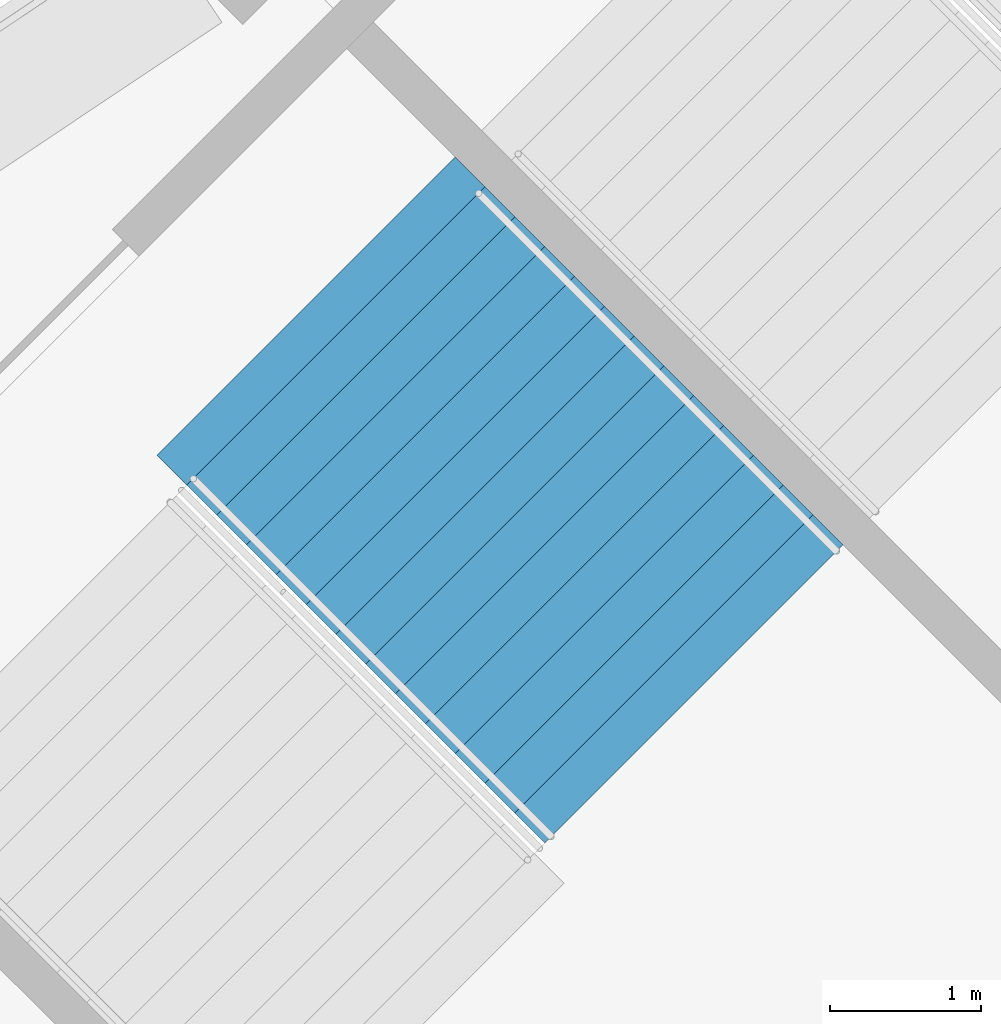
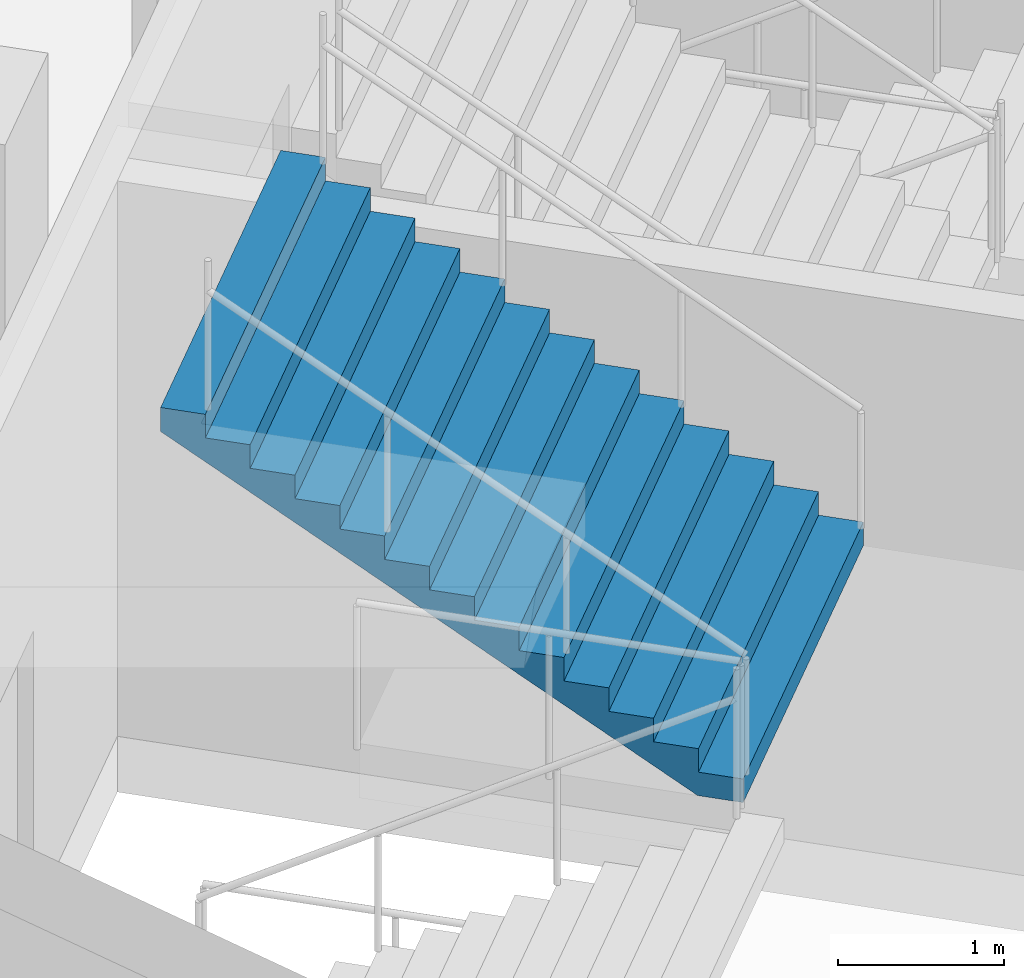
# One storey, part 116 of 177: 1 stair flight, 1 element without a shape of its own.
"""IFC4 building model written with IfcOpenShell, lengths in metres."""

from ifc_helpers import new_model, si_unit, direction, frame, origin, place, context, subcontext, project, spatial, faceted_brep, material, type_object, element, aggregate, save


model = new_model("IFC4")

# Units and contexts
model_context = context("Model", 3, precision=1e-05, world=origin(), true_north=direction((0.0, 1.0)))
body_context = subcontext(model_context, "Body", "Model", "MODEL_VIEW")
ifc_project = project(units=[si_unit("LENGTHUNIT", "METRE"), si_unit("AREAUNIT", "SQUARE_METRE"), si_unit("VOLUMEUNIT", "CUBIC_METRE"), si_unit("PLANEANGLEUNIT", "RADIAN"), si_unit("MASSUNIT", "GRAM", prefix="KILO")], contexts=[model_context])

# Site, building, storey
site_placement = place(None, origin())
site = spatial("IfcSite", under=ifc_project, at=site_placement, CompositionType="ELEMENT")
building_placement = place(site_placement, origin())
building = spatial("IfcBuilding", under=site, at=building_placement, Name="Ogive Plaza Stadium", CompositionType="ELEMENT")
storey_placement = place(building_placement, frame((0.0, 0.0, 18.0)))
storey = spatial("IfcBuildingStorey", under=building, at=storey_placement, Name="L04", CompositionType="ELEMENT", Elevation=18.0)

# Stair, stair flight
ifc_material_1 = material(Name="Concrete C40/50", Category="concrete")
stair_type = type_object("IfcStairType", Name="Exit stair", PredefinedType="STRAIGHT_RUN_STAIR", material=ifc_material_1)
stair_placement = place(storey_placement, origin())
stair = element("IfcStair", 1, at=stair_placement, inside=storey, type_object=stair_type, Name="Exit stair ST10A L04 to L05", PredefinedType="STRAIGHT_RUN_STAIR")
ifc_material_2 = material(Name="Concrete C40/50", Category="concrete")
stair_flight_type = type_object("IfcStairFlightType", Name="Exit stair flight", PredefinedType="STRAIGHT", material=ifc_material_2)
stair_flight_placement = place(storey_placement, frame((65.243408203125, -85.900146484375, 2.25), z_axis=(0.0, 0.0, 1.0), x_axis=(-0.707106781187, 0.707106781187, 0.0)))
stair_flight = element("IfcStairFlight", 2, at=stair_flight_placement, type_object=stair_flight_type, Name="ST10A flight 2", NumberOfRisers=13, NumberOfTreads=12, PredefinedType="STRAIGHT", RiserHeight=0.173076923, TreadLength=0.28, context=body_context, shape_type="Brep", body=[
    faceted_brep([(0.28515625, -1.39990234375, 0.0), (3.639892578125, -1.39990234375, 2.07373046875), (3.639892578125, -1.39990234375, 2.25), (3.360107421875, -1.39990234375, 2.25), (3.360107421875, -1.39990234375, 2.076904296875), (3.080078125, -1.39990234375, 2.076904296875), (3.080078125, -1.39990234375, 1.90380859375), (2.800048828125, -1.39990234375, 1.90380859375), (2.800048828125, -1.39990234375, 1.730712890625), (2.52001953125, -1.39990234375, 1.730712890625), (2.52001953125, -1.39990234375, 1.5576171875), (2.239990234375, -1.39990234375, 1.5576171875), (2.239990234375, -1.39990234375, 1.384521484375), (1.9599609375, -1.39990234375, 1.384521484375), (1.9599609375, -1.39990234375, 1.21142578125), (1.679931640625, -1.39990234375, 1.21142578125), (1.679931640625, -1.39990234375, 1.03857421875), (1.39990234375, -1.39990234375, 1.03857421875), (1.39990234375, -1.39990234375, 0.865478515625), (1.1201171875, -1.39990234375, 0.865478515625), (1.1201171875, -1.39990234375, 0.6923828125), (0.840087890625, -1.39990234375, 0.6923828125), (0.840087890625, -1.39990234375, 0.519287109375), (0.56005859375, -1.39990234375, 0.519287109375), (0.56005859375, -1.39990234375, 0.34619140625), (0.280029296875, -1.39990234375, 0.34619140625), (0.280029296875, -1.39990234375, 0.173095703125), (0.0, -1.39990234375, 0.173095703125), (0.0, -1.39990234375, 0.0), (0.0, 1.39990234375, 0.0), (0.0, 1.39990234375, 0.173095703125), (0.280029296875, 1.39990234375, 0.173095703125), (0.280029296875, 1.39990234375, 0.34619140625), (0.56005859375, 1.39990234375, 0.34619140625), (0.56005859375, 1.39990234375, 0.519287109375), (0.840087890625, 1.39990234375, 0.519287109375), (0.840087890625, 1.39990234375, 0.6923828125), (1.1201171875, 1.39990234375, 0.6923828125), (1.1201171875, 1.39990234375, 0.865478515625), (1.39990234375, 1.39990234375, 0.865478515625), (1.39990234375, 1.39990234375, 1.03857421875), (1.679931640625, 1.39990234375, 1.03857421875), (1.679931640625, 1.39990234375, 1.21142578125), (1.9599609375, 1.39990234375, 1.21142578125), (1.9599609375, 1.39990234375, 1.384521484375), (2.239990234375, 1.39990234375, 1.384521484375), (2.239990234375, 1.39990234375, 1.5576171875), (2.52001953125, 1.39990234375, 1.5576171875), (2.52001953125, 1.39990234375, 1.730712890625), (2.800048828125, 1.39990234375, 1.730712890625), (2.800048828125, 1.39990234375, 1.90380859375), (3.080078125, 1.39990234375, 1.90380859375), (3.080078125, 1.39990234375, 2.076904296875), (3.360107421875, 1.39990234375, 2.076904296875), (3.360107421875, 1.39990234375, 2.25), (3.639892578125, 1.39990234375, 2.25), (3.639892578125, 1.39990234375, 2.07373046875), (0.28515625, 1.39990234375, 0.0), (0.28515625, -1.0888671875, 0.0), (3.639892578125, -1.0888671875, 2.07373046875), (0.28515625, -0.77783203125, 0.0), (3.639892578125, -0.77783203125, 2.07373046875), (0.28515625, -0.466796875, 0.0), (3.639892578125, -0.466796875, 2.07373046875), (0.28515625, -0.155517578125, 0.0), (3.639892578125, -0.155517578125, 2.07373046875), (0.28515625, 0.155517578125, 0.0), (3.639892578125, 0.155517578125, 2.07373046875), (0.28515625, 0.466796875, 0.0), (3.639892578125, 0.466796875, 2.07373046875), (0.28515625, 0.77783203125, 0.0), (3.639892578125, 0.77783203125, 2.07373046875), (0.28515625, 1.0888671875, 0.0), (3.639892578125, 1.0888671875, 2.07373046875), (3.639892578125, -1.0888671875, 2.25), (3.639892578125, -0.77783203125, 2.25), (3.639892578125, -0.466796875, 2.25), (3.639892578125, -0.155517578125, 2.25), (3.639892578125, 0.155517578125, 2.25), (3.639892578125, 0.466796875, 2.25), (3.639892578125, 0.77783203125, 2.25), (3.639892578125, 1.0888671875, 2.25), (3.360107421875, -1.0888671875, 2.25), (3.360107421875, -0.77783203125, 2.25), (3.360107421875, -0.466796875, 2.25), (3.360107421875, -0.155517578125, 2.25), (3.360107421875, 0.155517578125, 2.25), (3.360107421875, 0.466796875, 2.25), (3.360107421875, 0.77783203125, 2.25), (3.360107421875, 1.0888671875, 2.25), (3.360107421875, -1.0888671875, 2.076904296875), (3.360107421875, -0.77783203125, 2.076904296875), (3.360107421875, -0.466796875, 2.076904296875), (3.360107421875, -0.155517578125, 2.076904296875), (3.360107421875, 0.155517578125, 2.076904296875), (3.360107421875, 0.466796875, 2.076904296875), (3.360107421875, 0.77783203125, 2.076904296875), (3.360107421875, 1.0888671875, 2.076904296875), (3.080078125, -1.0888671875, 2.076904296875), (3.080078125, -0.77783203125, 2.076904296875), (3.080078125, -0.466796875, 2.076904296875), (3.080078125, -0.155517578125, 2.076904296875), (3.080078125, 0.155517578125, 2.076904296875), (3.080078125, 0.466796875, 2.076904296875), (3.080078125, 0.77783203125, 2.076904296875), (3.080078125, 1.0888671875, 2.076904296875), (3.080078125, -1.0888671875, 1.90380859375), (3.080078125, -0.77783203125, 1.90380859375), (3.080078125, -0.466796875, 1.90380859375), (3.080078125, -0.155517578125, 1.90380859375), (3.080078125, 0.155517578125, 1.90380859375), (3.080078125, 0.466796875, 1.90380859375), (3.080078125, 0.77783203125, 1.90380859375), (3.080078125, 1.0888671875, 1.90380859375), (2.800048828125, -1.0888671875, 1.90380859375), (2.800048828125, -0.77783203125, 1.90380859375), (2.800048828125, -0.466796875, 1.90380859375), (2.800048828125, -0.155517578125, 1.90380859375), (2.800048828125, 0.155517578125, 1.90380859375), (2.800048828125, 0.466796875, 1.90380859375), (2.800048828125, 0.77783203125, 1.90380859375), (2.800048828125, 1.0888671875, 1.90380859375), (2.800048828125, -1.0888671875, 1.730712890625), (2.800048828125, -0.77783203125, 1.730712890625), (2.800048828125, -0.466796875, 1.730712890625), (2.800048828125, -0.155517578125, 1.730712890625), (2.800048828125, 0.155517578125, 1.730712890625), (2.800048828125, 0.466796875, 1.730712890625), (2.800048828125, 0.77783203125, 1.730712890625), (2.800048828125, 1.0888671875, 1.730712890625), (2.52001953125, -1.0888671875, 1.730712890625), (2.52001953125, -0.77783203125, 1.730712890625), (2.52001953125, -0.466796875, 1.730712890625), (2.52001953125, -0.155517578125, 1.730712890625), (2.52001953125, 0.155517578125, 1.730712890625), (2.52001953125, 0.466796875, 1.730712890625), (2.52001953125, 0.77783203125, 1.730712890625), (2.52001953125, 1.0888671875, 1.730712890625), (2.52001953125, -1.0888671875, 1.5576171875), (2.52001953125, -0.77783203125, 1.5576171875), (2.52001953125, -0.466796875, 1.5576171875), (2.52001953125, -0.155517578125, 1.5576171875), (2.52001953125, 0.155517578125, 1.5576171875), (2.52001953125, 0.466796875, 1.5576171875), (2.52001953125, 0.77783203125, 1.5576171875), (2.52001953125, 1.0888671875, 1.5576171875), (2.239990234375, -1.0888671875, 1.5576171875), (2.239990234375, -0.77783203125, 1.5576171875), (2.239990234375, -0.466796875, 1.5576171875), (2.239990234375, -0.155517578125, 1.5576171875), (2.239990234375, 0.155517578125, 1.5576171875), (2.239990234375, 0.466796875, 1.5576171875), (2.239990234375, 0.77783203125, 1.5576171875), (2.239990234375, 1.0888671875, 1.5576171875), (2.239990234375, -1.0888671875, 1.384521484375), (2.239990234375, -0.77783203125, 1.384521484375), (2.239990234375, -0.466796875, 1.384521484375), (2.239990234375, -0.155517578125, 1.384521484375), (2.239990234375, 0.155517578125, 1.384521484375), (2.239990234375, 0.466796875, 1.384521484375), (2.239990234375, 0.77783203125, 1.384521484375), (2.239990234375, 1.0888671875, 1.384521484375), (1.9599609375, -1.0888671875, 1.384521484375), (1.9599609375, -0.77783203125, 1.384521484375), (1.9599609375, -0.466796875, 1.384521484375), (1.9599609375, -0.155517578125, 1.384521484375), (1.9599609375, 0.155517578125, 1.384521484375), (1.9599609375, 0.466796875, 1.384521484375), (1.9599609375, 0.77783203125, 1.384521484375), (1.9599609375, 1.0888671875, 1.384521484375), (1.9599609375, -1.0888671875, 1.21142578125), (1.9599609375, -0.77783203125, 1.21142578125), (1.9599609375, -0.466796875, 1.21142578125), (1.9599609375, -0.155517578125, 1.21142578125), (1.9599609375, 0.155517578125, 1.21142578125), (1.9599609375, 0.466796875, 1.21142578125), (1.9599609375, 0.77783203125, 1.21142578125), (1.9599609375, 1.0888671875, 1.21142578125), (1.679931640625, -1.0888671875, 1.21142578125), (1.679931640625, -0.77783203125, 1.21142578125), (1.679931640625, -0.466796875, 1.21142578125), (1.679931640625, -0.155517578125, 1.21142578125), (1.679931640625, 0.155517578125, 1.21142578125), (1.679931640625, 0.466796875, 1.21142578125), (1.679931640625, 0.77783203125, 1.21142578125), (1.679931640625, 1.0888671875, 1.21142578125), (1.679931640625, -1.0888671875, 1.03857421875), (1.679931640625, -0.77783203125, 1.03857421875), (1.679931640625, -0.466796875, 1.03857421875), (1.679931640625, -0.155517578125, 1.03857421875), (1.679931640625, 0.155517578125, 1.03857421875), (1.679931640625, 0.466796875, 1.03857421875), (1.679931640625, 0.77783203125, 1.03857421875), (1.679931640625, 1.0888671875, 1.03857421875), (1.39990234375, -1.0888671875, 1.03857421875), (1.39990234375, -0.77783203125, 1.03857421875), (1.39990234375, -0.466796875, 1.03857421875), (1.39990234375, -0.155517578125, 1.03857421875), (1.39990234375, 0.155517578125, 1.03857421875), (1.39990234375, 0.466796875, 1.03857421875), (1.39990234375, 0.77783203125, 1.03857421875), (1.39990234375, 1.0888671875, 1.03857421875), (1.39990234375, -1.0888671875, 0.865478515625), (1.39990234375, -0.77783203125, 0.865478515625), (1.39990234375, -0.466796875, 0.865478515625), (1.39990234375, -0.155517578125, 0.865478515625), (1.39990234375, 0.155517578125, 0.865478515625), (1.39990234375, 0.466796875, 0.865478515625), (1.39990234375, 0.77783203125, 0.865478515625), (1.39990234375, 1.0888671875, 0.865478515625), (1.1201171875, -1.0888671875, 0.865478515625), (1.1201171875, -0.77783203125, 0.865478515625), (1.1201171875, -0.466796875, 0.865478515625), (1.1201171875, -0.155517578125, 0.865478515625), (1.1201171875, 0.155517578125, 0.865478515625), (1.1201171875, 0.466796875, 0.865478515625), (1.1201171875, 0.77783203125, 0.865478515625), (1.1201171875, 1.0888671875, 0.865478515625), (1.1201171875, -1.0888671875, 0.6923828125), (1.1201171875, -0.77783203125, 0.6923828125), (1.1201171875, -0.466796875, 0.6923828125), (1.1201171875, -0.155517578125, 0.6923828125), (1.1201171875, 0.155517578125, 0.6923828125), (1.1201171875, 0.466796875, 0.6923828125), (1.1201171875, 0.77783203125, 0.6923828125), (1.1201171875, 1.0888671875, 0.6923828125), (0.840087890625, -1.0888671875, 0.6923828125), (0.840087890625, -0.77783203125, 0.6923828125), (0.840087890625, -0.466796875, 0.6923828125), (0.840087890625, -0.155517578125, 0.6923828125), (0.840087890625, 0.155517578125, 0.6923828125), (0.840087890625, 0.466796875, 0.6923828125), (0.840087890625, 0.77783203125, 0.6923828125), (0.840087890625, 1.0888671875, 0.6923828125), (0.840087890625, -1.0888671875, 0.519287109375), (0.840087890625, -0.77783203125, 0.519287109375), (0.840087890625, -0.466796875, 0.519287109375), (0.840087890625, -0.155517578125, 0.519287109375), (0.840087890625, 0.155517578125, 0.519287109375), (0.840087890625, 0.466796875, 0.519287109375), (0.840087890625, 0.77783203125, 0.519287109375), (0.840087890625, 1.0888671875, 0.519287109375), (0.56005859375, -1.0888671875, 0.519287109375), (0.56005859375, -0.77783203125, 0.519287109375), (0.56005859375, -0.466796875, 0.519287109375), (0.56005859375, -0.155517578125, 0.519287109375), (0.56005859375, 0.155517578125, 0.519287109375), (0.56005859375, 0.466796875, 0.519287109375), (0.56005859375, 0.77783203125, 0.519287109375), (0.56005859375, 1.0888671875, 0.519287109375), (0.56005859375, -1.0888671875, 0.34619140625), (0.56005859375, -0.77783203125, 0.34619140625), (0.56005859375, -0.466796875, 0.34619140625), (0.56005859375, -0.155517578125, 0.34619140625), (0.56005859375, 0.155517578125, 0.34619140625), (0.56005859375, 0.466796875, 0.34619140625), (0.56005859375, 0.77783203125, 0.34619140625), (0.56005859375, 1.0888671875, 0.34619140625), (0.280029296875, -1.0888671875, 0.34619140625), (0.280029296875, -0.77783203125, 0.34619140625), (0.280029296875, -0.466796875, 0.34619140625), (0.280029296875, -0.155517578125, 0.34619140625), (0.280029296875, 0.155517578125, 0.34619140625), (0.280029296875, 0.466796875, 0.34619140625), (0.280029296875, 0.77783203125, 0.34619140625), (0.280029296875, 1.0888671875, 0.34619140625), (0.280029296875, -1.0888671875, 0.173095703125), (0.280029296875, -0.77783203125, 0.173095703125), (0.280029296875, -0.466796875, 0.173095703125), (0.280029296875, -0.155517578125, 0.173095703125), (0.280029296875, 0.155517578125, 0.173095703125), (0.280029296875, 0.466796875, 0.173095703125), (0.280029296875, 0.77783203125, 0.173095703125), (0.280029296875, 1.0888671875, 0.173095703125), (0.0, -1.0888671875, 0.173095703125), (0.0, -0.77783203125, 0.173095703125), (0.0, -0.466796875, 0.173095703125), (0.0, -0.155517578125, 0.173095703125), (0.0, 0.155517578125, 0.173095703125), (0.0, 0.466796875, 0.173095703125), (0.0, 0.77783203125, 0.173095703125), (0.0, 1.0888671875, 0.173095703125), (0.0, -1.0888671875, 0.0), (0.0, -0.77783203125, 0.0), (0.0, -0.466796875, 0.0), (0.0, -0.155517578125, 0.0), (0.0, 0.155517578125, 0.0), (0.0, 0.466796875, 0.0), (0.0, 0.77783203125, 0.0), (0.0, 1.0888671875, 0.0)], [[[0, 1, 2, 3, 4, 5, 6, 7, 8, 9, 10, 11, 12, 13, 14, 15, 16, 17, 18, 19, 20, 21, 22, 23, 24, 25, 26, 27, 28]], [[29, 30, 31, 32, 33, 34, 35, 36, 37, 38, 39, 40, 41, 42, 43, 44, 45, 46, 47, 48, 49, 50, 51, 52, 53, 54, 55, 56, 57]], [[0, 58, 59, 1]], [[58, 60, 61, 59]], [[60, 62, 63, 61]], [[62, 64, 65, 63]], [[64, 66, 67, 65]], [[66, 68, 69, 67]], [[68, 70, 71, 69]], [[70, 72, 73, 71]], [[72, 57, 56, 73]], [[1, 59, 74, 2]], [[59, 61, 75, 74]], [[61, 63, 76, 75]], [[63, 65, 77, 76]], [[65, 67, 78, 77]], [[67, 69, 79, 78]], [[69, 71, 80, 79]], [[71, 73, 81, 80]], [[73, 56, 55, 81]], [[2, 74, 82, 3]], [[74, 75, 83, 82]], [[75, 76, 84, 83]], [[76, 77, 85, 84]], [[77, 78, 86, 85]], [[78, 79, 87, 86]], [[79, 80, 88, 87]], [[80, 81, 89, 88]], [[81, 55, 54, 89]], [[3, 82, 90, 4]], [[82, 83, 91, 90]], [[83, 84, 92, 91]], [[84, 85, 93, 92]], [[85, 86, 94, 93]], [[86, 87, 95, 94]], [[87, 88, 96, 95]], [[88, 89, 97, 96]], [[89, 54, 53, 97]], [[4, 90, 98, 5]], [[90, 91, 99, 98]], [[91, 92, 100, 99]], [[92, 93, 101, 100]], [[93, 94, 102, 101]], [[94, 95, 103, 102]], [[95, 96, 104, 103]], [[96, 97, 105, 104]], [[97, 53, 52, 105]], [[5, 98, 106, 6]], [[98, 99, 107, 106]], [[99, 100, 108, 107]], [[100, 101, 109, 108]], [[101, 102, 110, 109]], [[102, 103, 111, 110]], [[103, 104, 112, 111]], [[104, 105, 113, 112]], [[105, 52, 51, 113]], [[6, 106, 114, 7]], [[106, 107, 115, 114]], [[107, 108, 116, 115]], [[108, 109, 117, 116]], [[109, 110, 118, 117]], [[110, 111, 119, 118]], [[111, 112, 120, 119]], [[112, 113, 121, 120]], [[113, 51, 50, 121]], [[7, 114, 122, 8]], [[114, 115, 123, 122]], [[115, 116, 124, 123]], [[116, 117, 125, 124]], [[117, 118, 126, 125]], [[118, 119, 127, 126]], [[119, 120, 128, 127]], [[120, 121, 129, 128]], [[121, 50, 49, 129]], [[8, 122, 130, 9]], [[122, 123, 131, 130]], [[123, 124, 132, 131]], [[124, 125, 133, 132]], [[125, 126, 134, 133]], [[126, 127, 135, 134]], [[127, 128, 136, 135]], [[128, 129, 137, 136]], [[129, 49, 48, 137]], [[9, 130, 138, 10]], [[130, 131, 139, 138]], [[131, 132, 140, 139]], [[132, 133, 141, 140]], [[133, 134, 142, 141]], [[134, 135, 143, 142]], [[135, 136, 144, 143]], [[136, 137, 145, 144]], [[137, 48, 47, 145]], [[10, 138, 146, 11]], [[138, 139, 147, 146]], [[139, 140, 148, 147]], [[140, 141, 149, 148]], [[141, 142, 150, 149]], [[142, 143, 151, 150]], [[143, 144, 152, 151]], [[144, 145, 153, 152]], [[145, 47, 46, 153]], [[11, 146, 154, 12]], [[146, 147, 155, 154]], [[147, 148, 156, 155]], [[148, 149, 157, 156]], [[149, 150, 158, 157]], [[150, 151, 159, 158]], [[151, 152, 160, 159]], [[152, 153, 161, 160]], [[153, 46, 45, 161]], [[12, 154, 162, 13]], [[154, 155, 163, 162]], [[155, 156, 164, 163]], [[156, 157, 165, 164]], [[157, 158, 166, 165]], [[158, 159, 167, 166]], [[159, 160, 168, 167]], [[160, 161, 169, 168]], [[161, 45, 44, 169]], [[13, 162, 170, 14]], [[162, 163, 171, 170]], [[163, 164, 172, 171]], [[164, 165, 173, 172]], [[165, 166, 174, 173]], [[166, 167, 175, 174]], [[167, 168, 176, 175]], [[168, 169, 177, 176]], [[169, 44, 43, 177]], [[14, 170, 178, 15]], [[170, 171, 179, 178]], [[171, 172, 180, 179]], [[172, 173, 181, 180]], [[173, 174, 182, 181]], [[174, 175, 183, 182]], [[175, 176, 184, 183]], [[176, 177, 185, 184]], [[177, 43, 42, 185]], [[15, 178, 186, 16]], [[178, 179, 187, 186]], [[179, 180, 188, 187]], [[180, 181, 189, 188]], [[181, 182, 190, 189]], [[182, 183, 191, 190]], [[183, 184, 192, 191]], [[184, 185, 193, 192]], [[185, 42, 41, 193]], [[16, 186, 194, 17]], [[186, 187, 195, 194]], [[187, 188, 196, 195]], [[188, 189, 197, 196]], [[189, 190, 198, 197]], [[190, 191, 199, 198]], [[191, 192, 200, 199]], [[192, 193, 201, 200]], [[193, 41, 40, 201]], [[17, 194, 202, 18]], [[194, 195, 203, 202]], [[195, 196, 204, 203]], [[196, 197, 205, 204]], [[197, 198, 206, 205]], [[198, 199, 207, 206]], [[199, 200, 208, 207]], [[200, 201, 209, 208]], [[201, 40, 39, 209]], [[18, 202, 210, 19]], [[202, 203, 211, 210]], [[203, 204, 212, 211]], [[204, 205, 213, 212]], [[205, 206, 214, 213]], [[206, 207, 215, 214]], [[207, 208, 216, 215]], [[208, 209, 217, 216]], [[209, 39, 38, 217]], [[19, 210, 218, 20]], [[210, 211, 219, 218]], [[211, 212, 220, 219]], [[212, 213, 221, 220]], [[213, 214, 222, 221]], [[214, 215, 223, 222]], [[215, 216, 224, 223]], [[216, 217, 225, 224]], [[217, 38, 37, 225]], [[20, 218, 226, 21]], [[218, 219, 227, 226]], [[219, 220, 228, 227]], [[220, 221, 229, 228]], [[221, 222, 230, 229]], [[222, 223, 231, 230]], [[223, 224, 232, 231]], [[224, 225, 233, 232]], [[225, 37, 36, 233]], [[21, 226, 234, 22]], [[226, 227, 235, 234]], [[227, 228, 236, 235]], [[228, 229, 237, 236]], [[229, 230, 238, 237]], [[230, 231, 239, 238]], [[231, 232, 240, 239]], [[232, 233, 241, 240]], [[233, 36, 35, 241]], [[22, 234, 242, 23]], [[234, 235, 243, 242]], [[235, 236, 244, 243]], [[236, 237, 245, 244]], [[237, 238, 246, 245]], [[238, 239, 247, 246]], [[239, 240, 248, 247]], [[240, 241, 249, 248]], [[241, 35, 34, 249]], [[23, 242, 250, 24]], [[242, 243, 251, 250]], [[243, 244, 252, 251]], [[244, 245, 253, 252]], [[245, 246, 254, 253]], [[246, 247, 255, 254]], [[247, 248, 256, 255]], [[248, 249, 257, 256]], [[249, 34, 33, 257]], [[24, 250, 258, 25]], [[250, 251, 259, 258]], [[251, 252, 260, 259]], [[252, 253, 261, 260]], [[253, 254, 262, 261]], [[254, 255, 263, 262]], [[255, 256, 264, 263]], [[256, 257, 265, 264]], [[257, 33, 32, 265]], [[25, 258, 266, 26]], [[258, 259, 267, 266]], [[259, 260, 268, 267]], [[260, 261, 269, 268]], [[261, 262, 270, 269]], [[262, 263, 271, 270]], [[263, 264, 272, 271]], [[264, 265, 273, 272]], [[265, 32, 31, 273]], [[26, 266, 274, 27]], [[266, 267, 275, 274]], [[267, 268, 276, 275]], [[268, 269, 277, 276]], [[269, 270, 278, 277]], [[270, 271, 279, 278]], [[271, 272, 280, 279]], [[272, 273, 281, 280]], [[273, 31, 30, 281]], [[27, 274, 282, 28]], [[274, 275, 283, 282]], [[275, 276, 284, 283]], [[276, 277, 285, 284]], [[277, 278, 286, 285]], [[278, 279, 287, 286]], [[279, 280, 288, 287]], [[280, 281, 289, 288]], [[281, 30, 29, 289]], [[28, 282, 58, 0]], [[282, 283, 60, 58]], [[283, 284, 62, 60]], [[284, 285, 64, 62]], [[285, 286, 66, 64]], [[286, 287, 68, 66]], [[287, 288, 70, 68]], [[288, 289, 72, 70]], [[289, 29, 57, 72]]]),
])
aggregate(stair, [stair_flight])

save(model, "model.ifc")
